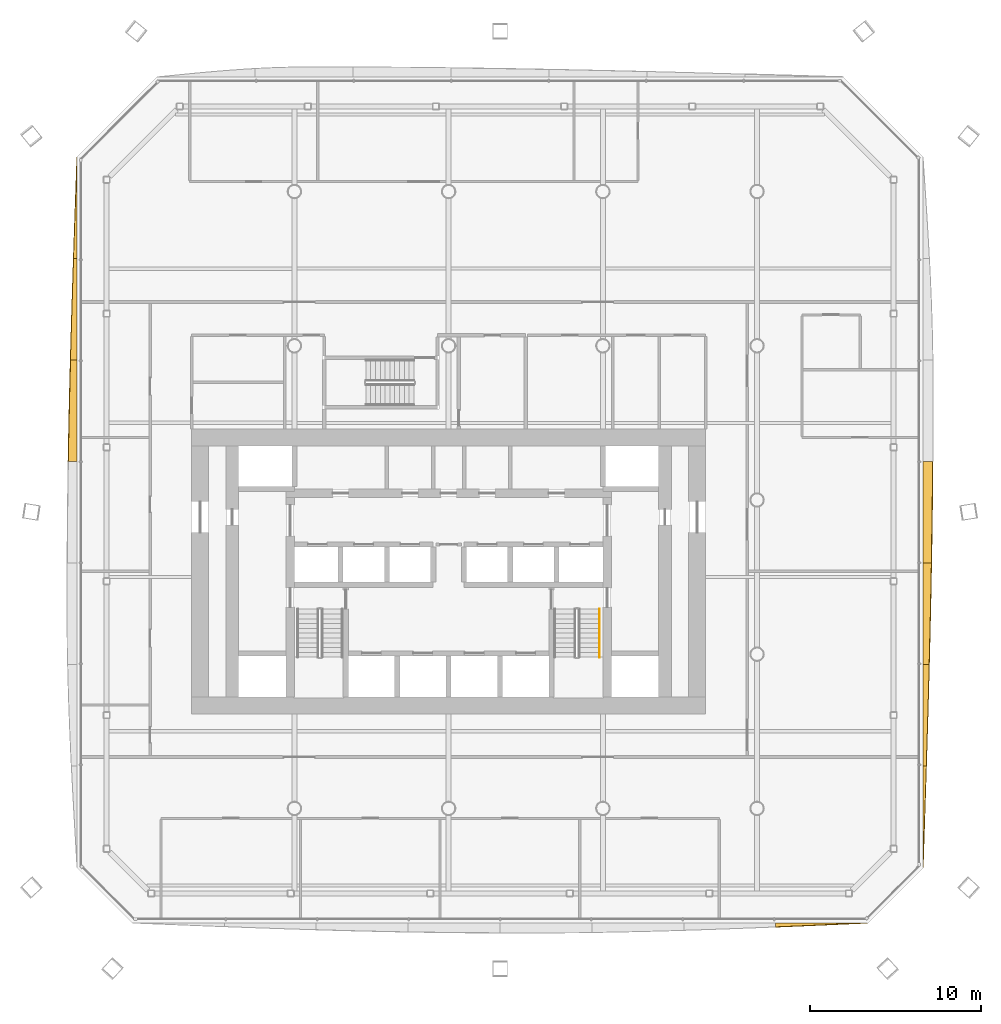
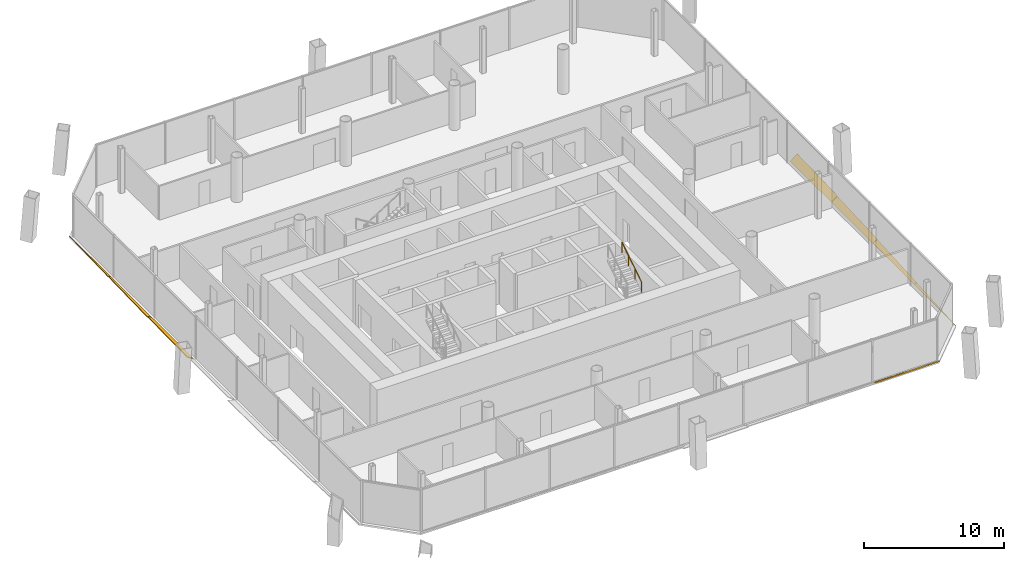
# One storey, part 17 of 19: 8 shading devices, 1 railing.
"""IFC4 building model written with IfcOpenShell, lengths in metres."""

from ifc_helpers import new_model, si_unit, direction, frame, origin, origin_2d, place, context, subcontext, project, spatial, polyline, circle, outline, extrude, material, layer, layer_set, type_object, element, save


model = new_model("IFC4")

# Units and contexts
model_context = context("Model", 3, precision=1e-05, world=origin(), true_north=direction((0.0, 1.0)))
body_context = subcontext(model_context, "Body", "Model", "MODEL_VIEW")
ifc_project = project(units=[si_unit("LENGTHUNIT", "METRE"), si_unit("AREAUNIT", "SQUARE_METRE"), si_unit("VOLUMEUNIT", "CUBIC_METRE"), si_unit("PLANEANGLEUNIT", "RADIAN"), si_unit("MASSUNIT", "GRAM", prefix="KILO")], contexts=[model_context])

# Site, building, storey
site_placement = place(None, origin())
site = spatial("IfcSite", under=ifc_project, at=site_placement, CompositionType="ELEMENT")
building_placement = place(site_placement, origin())
building = spatial("IfcBuilding", under=site, at=building_placement, Name="Tskaro Facet Tower", CompositionType="ELEMENT")
storey_placement = place(building_placement, frame((0.0, 0.0, 89.39990234375)))
storey = spatial("IfcBuildingStorey", under=building, at=storey_placement, Name="L21", CompositionType="ELEMENT", Elevation=89.39990234375)

# Shading devices
ifc_material_1 = material(Name="Bronze anodised aluminium 6063-T6", Category="aluminium")
ifc_layer = layer(ifc_material_1, 0.06005859375, Name="Bronze anodised aluminium 6063-T6")
ifc_layer_set = layer_set([ifc_layer], Name="Bronze anodised aluminium 6063-T6")
shading_device_type = type_object("IfcShadingDeviceType", Name="Bronze sun blade (FN1)", PredefinedType="USERDEFINED", material=ifc_layer_set)
shading_device_1_placement = place(storey_placement, frame((19.089111328125, -24.678466796875, 0.04931640625), z_axis=(4.9780122e-05, 0.572815439394, 0.81968437213), x_axis=(0.999999998761, -2.8514823e-05, -4.0803988e-05)))
element("IfcShadingDevice", 1, at=shading_device_1_placement, inside=storey, type_object=shading_device_type, Name="Fin blade south 8", ObjectType="FIN", PredefinedType="USERDEFINED", context=body_context, shape_type="SweptSolid", body=[
    extrude(outline(polyline([(0.0, 0.0), (5.362792962105337, 0.0), (4.6926269538280305, -0.03684155032200938), (4.022216794964115, -0.0738229481635754), (3.351806639100484, -0.11046438023042236), (2.681396486237137, -0.1467658465225503), (2.0109863194505375, -0.18266707630435342), (1.3405761656261337, -0.21808849279188086), (0.6701660148020143, -0.25316994350468924), (-1.32820027185627e-08, -0.28731107367729136), (0.0, 0.0)])), origin(), (0.0, 0.0, -1.0), 0.06005859375),
])
shading_device_2_placement = place(storey_placement, frame((27.687744140625, -21.451904296875, 0.054443359375), z_axis=(-0.423323695265, -7.352952e-06, 0.905978503593), x_axis=(-3.112679e-06, 0.999999999973, 6.661617e-06)))
element("IfcShadingDevice", 2, at=shading_device_2_placement, inside=storey, type_object=shading_device_type, Name="Fin blade east 1", ObjectType="FIN", PredefinedType="USERDEFINED", context=body_context, shape_type="SweptSolid", body=[
    extrude(outline(polyline([(0.0, 0.0), (5.924072265464855, 2.508942195449902e-21), (5.924072265796977, -0.21156077185214983), (5.183593749198768, -0.18589731381232352), (4.4431152333604915, -0.16001266961438748), (3.702392578417083, -0.1336856531002319), (2.961914062472297, -0.1072552860745341), (2.2214355472874425, -0.08060373289072656), (1.4809570312361484, -0.05362764303726705), (0.7404785160512942, -0.026976089853459513), (0.0, 0.0)])), origin(), (0.0, 0.0, -1.0), 0.06005859375),
])
shading_device_3_placement = place(storey_placement, frame((27.68310546875, -15.52783203125, 0.052001953125), z_axis=(-0.500335847396, 7.726052e-06, 0.865831415318), x_axis=(3.865621e-06, 0.99999999997, -6.689459e-06)))
element("IfcShadingDevice", 3, at=shading_device_3_placement, inside=storey, type_object=shading_device_type, Name="Fin blade east 2", ObjectType="FIN", PredefinedType="USERDEFINED", context=body_context, shape_type="SweptSolid", body=[
    extrude(outline(polyline([(0.0, 0.0), (5.92407226544819, 2.508942195449902e-21), (5.924072265665823, -0.4187128439608286), (5.183593749688273, -0.3961830680310492), (4.443115234145795, -0.3727748336196165), (3.7026367192927294, -0.3490330622788005), (2.962158203241568, -0.3245349847628278), (2.221435546311072, -0.2994919856945852), (1.4809570313843965, -0.27378191276757585), (0.7404785155139652, -0.2478604552176799), (-6.108076998901616e-10, -0.22139407611551398), (0.0, 0.0)])), origin(), (0.0, 0.0, -1.0), 0.06005859375),
])
shading_device_4_placement = place(storey_placement, frame((27.678466796875, -9.603759765625, 0.04931640625), z_axis=(-0.57340409405, 2.851792e-06, 0.819272692648), x_axis=(1.635229e-06, 0.999999999996, -2.336395e-06)))
element("IfcShadingDevice", 4, at=shading_device_4_placement, inside=storey, type_object=shading_device_type, Name="Fin blade east 3", ObjectType="FIN", PredefinedType="USERDEFINED", context=body_context, shape_type="SweptSolid", body=[
    extrude(outline(polyline([(0.0, 0.0), (5.924072265600911, 0.0), (5.924072265706891, -0.602523480865447), (5.183593749974204, -0.5858628288985255), (4.443115234184657, -0.5683221412221169), (3.7026367185094347, -0.5495614088550927), (2.962158202777352, -0.5299206407785816), (2.2216796879580447, -0.5094598635059134), (1.481201172112243, -0.48805902401042844), (0.7404785155845823, -0.4657781488054566), (2.4287160066154897e-11, -0.44281725563822716), (0.0, 0.0)])), origin(), (0.0, 0.0, -1.0), 0.06005859375),
])
shading_device_5_placement = place(storey_placement, frame((27.67431640625, -3.6796875, 0.046142578125), z_axis=(-0.642652668843, -1.008595e-05, 0.766157651614), x_axis=(-6.481763e-06, 0.999999999949, 7.727428e-06)))
element("IfcShadingDevice", 5, at=shading_device_5_placement, inside=storey, type_object=shading_device_type, Name="Fin blade east 4", ObjectType="FIN", PredefinedType="USERDEFINED", context=body_context, shape_type="SweptSolid", body=[
    extrude(outline(polyline([(0.0, 0.0), (5.92431640594867, 0.0), (5.9243164070133165, -0.7444686292135112), (5.18383788948278, -0.7363406262822128), (4.443115233579827, -0.7268066794385867), (3.7026367189719713, -0.7160538388905562), (2.9621582015651837, -0.7041122572218073), (2.2216796882975465, -0.6909216292649681), (1.4812011722309775, -0.6765422601874105), (0.7407226568345178, -0.6609439974054483), (-9.928175380177114e-11, -0.644313891127005), (0.0, 0.0)])), origin(), (0.0, 0.0, -1.0), 0.06005859375),
])
shading_device_6_placement = place(storey_placement, frame((-21.687744140625, 20.01708984375, 0.054443359375), z_axis=(0.422841773854, -1.284834e-05, 0.906203527978), x_axis=(-5.432815e-06, -0.999999999917, -1.1643211e-05)))
element("IfcShadingDevice", 6, at=shading_device_6_placement, inside=storey, type_object=shading_device_type, Name="Fin blade west 1", ObjectType="FIN", PredefinedType="USERDEFINED", context=body_context, shape_type="SweptSolid", body=[
    extrude(outline(polyline([(0.0, 0.0), (5.924316405761008, 0.0), (5.924316406757347, -0.22707675568516875), (5.183593748879961, -0.19965821973933967), (4.443115233143764, -0.17191520984284137), (3.7026367189237783, -0.1438477259956738), (2.962158202051051, -0.11533775995707443), (2.2216796880209038, -0.08672456106352172), (1.4812011726643861, -0.05789012107425312), (0.7407226559814977, -0.028834439989268608), (0.0, 0.0)])), origin(), (0.0, 0.0, -1.0), 0.06005859375),
])
shading_device_7_placement = place(storey_placement, frame((-21.68310546875, 14.0927734375, 0.052001953125), z_axis=(0.50029895516, -7.36033e-06, 0.865852733097), x_axis=(-3.682365e-06, -0.999999999973, -6.372962e-06)))
element("IfcShadingDevice", 7, at=shading_device_7_placement, inside=storey, type_object=shading_device_type, Name="Fin blade west 2", ObjectType="FIN", PredefinedType="USERDEFINED", context=body_context, shape_type="SweptSolid", body=[
    extrude(outline(polyline([(0.0, 0.0), (5.924072265464534, -5.017884390899804e-21), (5.9240722660294205, -0.44517922673719734), (5.183593749832496, -0.42210452580725627), (4.443115234707208, -0.3978178356688185), (3.7023925778157816, -0.37277483274851175), (2.9619140628631158, -0.3470647635741553), (2.221435546769304, -0.32059838161792975), (1.4809570304333612, -0.29358707670725737), (0.740478515411186, -0.26590870554253515), (1.4687987440441236e-10, -0.23768541142336605), (0.0, 0.0)])), origin(), (0.0, 0.0, -1.0), 0.06005859375),
])
shading_device_8_placement = place(storey_placement, frame((-21.678466796875, 8.168701171875, 0.04931640625), z_axis=(0.573381375079, -1.292627e-06, 0.819288593055), x_axis=(-7.41168e-07, -0.999999999999, -1.059035e-06)))
element("IfcShadingDevice", 8, at=shading_device_8_placement, inside=storey, type_object=shading_device_type, Name="Fin blade west 3", ObjectType="FIN", PredefinedType="USERDEFINED", context=body_context, shape_type="SweptSolid", body=[
    extrude(outline(polyline([(0.0, 0.0), (5.924072265620051, 0.0), (5.924072265591202, -0.6305645701659115), (5.183593750020586, -0.6144439460745897), (4.443115234424231, -0.5974432857212253), (3.702636718698788, -0.5790225601602144), (2.9621582032061577, -0.5595818126498855), (2.221435546881838, -0.5390610072483496), (1.4809570312343805, -0.5173201582683316), (0.740478515561182, -0.4946992730262705), (-6.015363686907891e-11, -0.47085834420572736), (0.0, 0.0)])), origin(), (0.0, 0.0, -1.0), 0.06005859375),
])

# Railing
ifc_material_2 = material(Name="Stainless steel", Category="steel")
railing_type = type_object("IfcRailingType", Name="RL-HANDRAIL-900", PredefinedType="HANDRAIL", material=ifc_material_2)
railing_placement = place(storey_placement, frame((8.800048828125, -9.175048828125, 2.12744140625)))
element("IfcRailing", 9, at=railing_placement, inside=storey, type_object=railing_type, Name="L21 ST-2 stair handrail 2", PredefinedType="HANDRAIL", context=body_context, shape_type="SweptSolid", body=[
    extrude(circle(Radius=0.02392578125, at=origin_2d()), frame((0.0, 0.0, 0.8759765625), z_axis=(0.0, 0.844908973607, 0.534910110503), x_axis=(-1.0, 0.0, 0.0)), (0.0, 0.0, 1.0), 3.31396484375),
    extrude(circle(Radius=0.02099609375, at=origin_2d()), origin(), (0.0, 0.0, 1.0), 0.851806640625),
    extrude(circle(Radius=0.02099609375, at=origin_2d()), frame((0.0, 0.933349609375, 0.5908203125)), (0.0, 0.0, 1.0), 0.851806640625),
    extrude(circle(Radius=0.02099609375, at=origin_2d()), frame((0.0, 1.86669921875, 1.181884765625)), (0.0, 0.0, 1.0), 0.851806640625),
    extrude(circle(Radius=0.02099609375, at=origin_2d()), frame((0.0, 2.800048828125, 1.772705078125)), (0.0, 0.0, 1.0), 0.851806640625),
])

save(model, "model.ifc")
